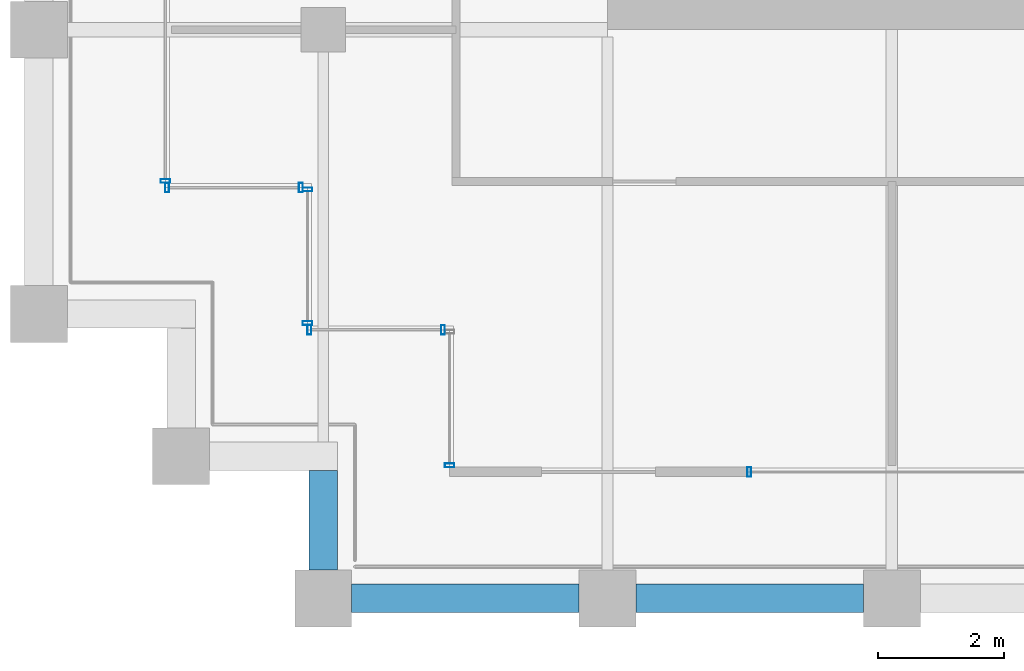
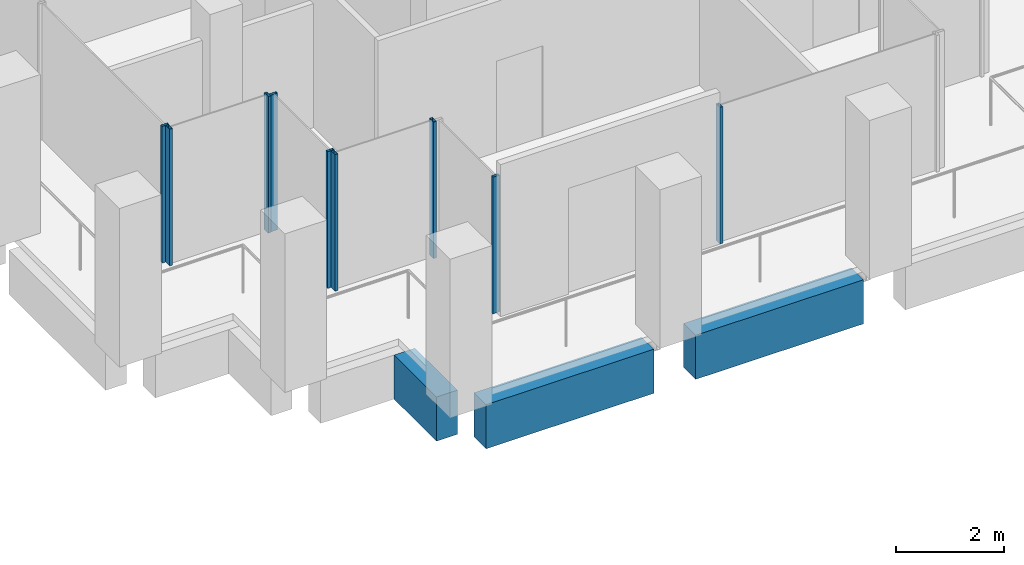
# One storey, part 28 of 40: 9 members, 3 beams, 6 elements without a shape of their own.
"""IFC4 building model written with IfcOpenShell, lengths in metres."""

from ifc_helpers import new_model, si_unit, direction, frame, origin, origin_2d, place, context, subcontext, project, spatial, rectangle, hollow_rectangle, extrude, material, material_profile, profile_set, type_object, element, aggregate, save


model = new_model("IFC4")

# Units and contexts
model_context = context("Model", 3, precision=1e-05, world=origin(), true_north=direction((0.0, 1.0)))
body_context = subcontext(model_context, "Body", "Model", "MODEL_VIEW")
ifc_project = project(units=[si_unit("LENGTHUNIT", "METRE"), si_unit("AREAUNIT", "SQUARE_METRE"), si_unit("VOLUMEUNIT", "CUBIC_METRE"), si_unit("PLANEANGLEUNIT", "RADIAN"), si_unit("MASSUNIT", "GRAM", prefix="KILO")], contexts=[model_context])

# Site, building, storey
site_placement = place(None, origin())
site = spatial("IfcSite", under=ifc_project, at=site_placement, CompositionType="ELEMENT")
building_placement = place(site_placement, origin())
building = spatial("IfcBuilding", under=site, at=building_placement, Name="Altepetl Exchange Towers", CompositionType="ELEMENT")
storey_placement = place(building_placement, frame((0.0, 0.0, 179.800048828125)))
storey = spatial("IfcBuildingStorey", under=building, at=storey_placement, Name="L45", CompositionType="ELEMENT", Elevation=179.800048828125)

# Curtain wall, member
ifc_material_1 = material(Name="Aluminium 6063-T6 glazing", Category="aluminium")
curtain_wall_type = type_object("IfcCurtainWallType", Name="Loggia glazing system", PredefinedType="NOTDEFINED", material=ifc_material_1)
curtain_wall_1_placement = place(storey_placement, origin())
curtain_wall_1 = element("IfcCurtainWall", 1, at=curtain_wall_1_placement, inside=storey, type_object=curtain_wall_type, Name="CW1 run", PredefinedType="NOTDEFINED")
ifc_material_2 = material(Name="Aluminium 6063-T6", Category="aluminium")
ifc_material_profile_1 = material_profile(ifc_material_2, hollow_rectangle(XDim=0.06005859375, YDim=0.14990234375, WallThickness=0.0029296875, at=origin_2d()), Name="Mullion 60x150 aluminium")
ifc_profile_set_1 = profile_set([ifc_material_profile_1], Name="Aluminium 6063-T6")
member_type = type_object("IfcMemberType", Name="Mullion 60x150 aluminium", PredefinedType="MULLION", material=ifc_profile_set_1)
member_1_placement = place(storey_placement, frame((101.0, 29.10498046875, 0.0), z_axis=(0.0, 0.0, 1.0), x_axis=(0.0, -1.0, 0.0)))
member_1 = element("IfcMember", 2, at=member_1_placement, type_object=member_type, Name="MU1 mullion", PredefinedType="MULLION", context=body_context, shape_type="SweptSolid", body=[
    extrude(hollow_rectangle(XDim=0.06005859375, YDim=0.14990234375, WallThickness=0.0029296875, at=origin_2d()), origin(), (0.0, 0.0, 1.0), 3.099853515625),
])
aggregate(curtain_wall_1, [member_1])

curtain_wall_2_placement = place(storey_placement, origin())
curtain_wall_2 = element("IfcCurtainWall", 3, at=curtain_wall_2_placement, inside=storey, type_object=curtain_wall_type, Name="CW1 run", PredefinedType="NOTDEFINED")
member_2_placement = place(storey_placement, frame((105.742431640625, 29.0, 0.0)))
member_2 = element("IfcMember", 4, at=member_2_placement, type_object=member_type, Name="MU1 mullion", PredefinedType="MULLION", context=body_context, shape_type="SweptSolid", body=[
    extrude(hollow_rectangle(XDim=0.06005859375, YDim=0.14990234375, WallThickness=0.0029296875, at=origin_2d()), origin(), (0.0, 0.0, 1.0), 3.099853515625),
])
aggregate(curtain_wall_2, [member_2])

curtain_wall_3_placement = place(storey_placement, origin())
curtain_wall_3 = element("IfcCurtainWall", 5, at=curtain_wall_3_placement, inside=storey, type_object=curtain_wall_type, Name="CW1 run", PredefinedType="NOTDEFINED")
member_3_placement = place(storey_placement, frame((96.5, 33.60498046875, 0.0), z_axis=(0.0, 0.0, 1.0), x_axis=(0.0, -1.0, 0.0)))
member_3 = element("IfcMember", 6, at=member_3_placement, type_object=member_type, Name="MU1 mullion", PredefinedType="MULLION", context=body_context, shape_type="SweptSolid", body=[
    extrude(hollow_rectangle(XDim=0.06005859375, YDim=0.14990234375, WallThickness=0.0029296875, at=origin_2d()), origin(), (0.0, 0.0, 1.0), 3.099853515625),
])
aggregate(curtain_wall_3, [member_3])

# Curtain wall, members
curtain_wall_4_placement = place(storey_placement, origin())
curtain_wall_4 = element("IfcCurtainWall", 7, at=curtain_wall_4_placement, inside=storey, type_object=curtain_wall_type, Name="CW1 run", PredefinedType="NOTDEFINED")
member_4_placement = place(storey_placement, frame((96.530029296875, 33.5, 0.0)))
member_4 = element("IfcMember", 8, at=member_4_placement, type_object=member_type, Name="MU1 mullion", PredefinedType="MULLION", context=body_context, shape_type="SweptSolid", body=[
    extrude(hollow_rectangle(XDim=0.06005859375, YDim=0.14990234375, WallThickness=0.0029296875, at=origin_2d()), origin(), (0.0, 0.0, 1.0), 3.099853515625),
])
member_5_placement = place(storey_placement, frame((98.64501953125, 33.5, 0.0)))
member_5 = element("IfcMember", 9, at=member_5_placement, type_object=member_type, Name="MU1 mullion", PredefinedType="MULLION", context=body_context, shape_type="SweptSolid", body=[
    extrude(hollow_rectangle(XDim=0.06005859375, YDim=0.14990234375, WallThickness=0.0029296875, at=origin_2d()), origin(), (0.0, 0.0, 1.0), 3.099853515625),
])
aggregate(curtain_wall_4, [member_4, member_5])

curtain_wall_5_placement = place(storey_placement, origin())
curtain_wall_5 = element("IfcCurtainWall", 10, at=curtain_wall_5_placement, inside=storey, type_object=curtain_wall_type, Name="CW1 run", PredefinedType="NOTDEFINED")
member_6_placement = place(storey_placement, frame((98.75, 33.469970703125, 0.0), z_axis=(0.0, 0.0, 1.0), x_axis=(0.0, -1.0, 0.0)))
member_6 = element("IfcMember", 11, at=member_6_placement, type_object=member_type, Name="MU1 mullion", PredefinedType="MULLION", context=body_context, shape_type="SweptSolid", body=[
    extrude(hollow_rectangle(XDim=0.06005859375, YDim=0.14990234375, WallThickness=0.0029296875, at=origin_2d()), origin(), (0.0, 0.0, 1.0), 3.099853515625),
])
member_7_placement = place(storey_placement, frame((98.75, 31.35498046875, 0.0), z_axis=(0.0, 0.0, 1.0), x_axis=(0.0, -1.0, 0.0)))
member_7 = element("IfcMember", 12, at=member_7_placement, type_object=member_type, Name="MU1 mullion", PredefinedType="MULLION", context=body_context, shape_type="SweptSolid", body=[
    extrude(hollow_rectangle(XDim=0.06005859375, YDim=0.14990234375, WallThickness=0.0029296875, at=origin_2d()), origin(), (0.0, 0.0, 1.0), 3.099853515625),
])
aggregate(curtain_wall_5, [member_6, member_7])

curtain_wall_6_placement = place(storey_placement, origin())
curtain_wall_6 = element("IfcCurtainWall", 13, at=curtain_wall_6_placement, inside=storey, type_object=curtain_wall_type, Name="CW1 run", PredefinedType="NOTDEFINED")
member_8_placement = place(storey_placement, frame((98.780029296875, 31.25, 0.0)))
member_8 = element("IfcMember", 14, at=member_8_placement, type_object=member_type, Name="MU1 mullion", PredefinedType="MULLION", context=body_context, shape_type="SweptSolid", body=[
    extrude(hollow_rectangle(XDim=0.06005859375, YDim=0.14990234375, WallThickness=0.0029296875, at=origin_2d()), origin(), (0.0, 0.0, 1.0), 3.099853515625),
])
member_9_placement = place(storey_placement, frame((100.89501953125, 31.25, 0.0)))
member_9 = element("IfcMember", 15, at=member_9_placement, type_object=member_type, Name="MU1 mullion", PredefinedType="MULLION", context=body_context, shape_type="SweptSolid", body=[
    extrude(hollow_rectangle(XDim=0.06005859375, YDim=0.14990234375, WallThickness=0.0029296875, at=origin_2d()), origin(), (0.0, 0.0, 1.0), 3.099853515625),
])
aggregate(curtain_wall_6, [member_8, member_9])

# Beams
ifc_material_3 = material(Name="Concrete C50/60 precast with tezontle facing", Category="concrete")
ifc_material_profile_2 = material_profile(ifc_material_3, rectangle(XDim=0.449951171875, YDim=1.0, at=origin_2d()), Name="450 x 1000")
ifc_profile_set_2 = profile_set([ifc_material_profile_2], Name="Concrete C50/60 precast with tezontle facing")
beam_type = type_object("IfcBeamType", Name="Spandrel beam 450x1000 tezontle", PredefinedType="SPANDREL", material=ifc_profile_set_2)
for number, where, z_axis, x_axis, name in (
    (16, (99.449951171875, 27.0, -0.650146484375), (1.0, 0.0, 0.0), (0.0, 1.0, 0.0), "sp:B:L45:000"),
    (17, (103.949951171875, 27.0, -0.650146484375), (1.0, 0.0, 0.0), (0.0, 1.0, 0.0), "sp:B:L45:001"),
):
    element("IfcBeam", number, at=place(storey_placement, frame(where, z_axis=z_axis, x_axis=x_axis)), inside=storey, type_object=beam_type, Name=name, PredefinedType="SPANDREL", context=body_context, shape_type="SweptSolid", body=[
        extrude(rectangle(XDim=0.449951171875, YDim=1.0, at=origin_2d()), origin(), (0.0, 0.0, 1.0), 3.60009765625),
    ])
beam_placement = place(storey_placement, frame((99.0, 29.02490234375, -0.650146484375), z_axis=(0.0, -1.0, 0.0), x_axis=(1.0, 0.0, 0.0)))
element("IfcBeam", 18, at=beam_placement, inside=storey, type_object=beam_type, Name="sp:B:L45:023", PredefinedType="SPANDREL", context=body_context, shape_type="SweptSolid", body=[
    extrude(rectangle(XDim=0.449951171875, YDim=1.0, at=origin_2d()), origin(), (0.0, 0.0, 1.0), 1.574951171875),
])

save(model, "model.ifc")
